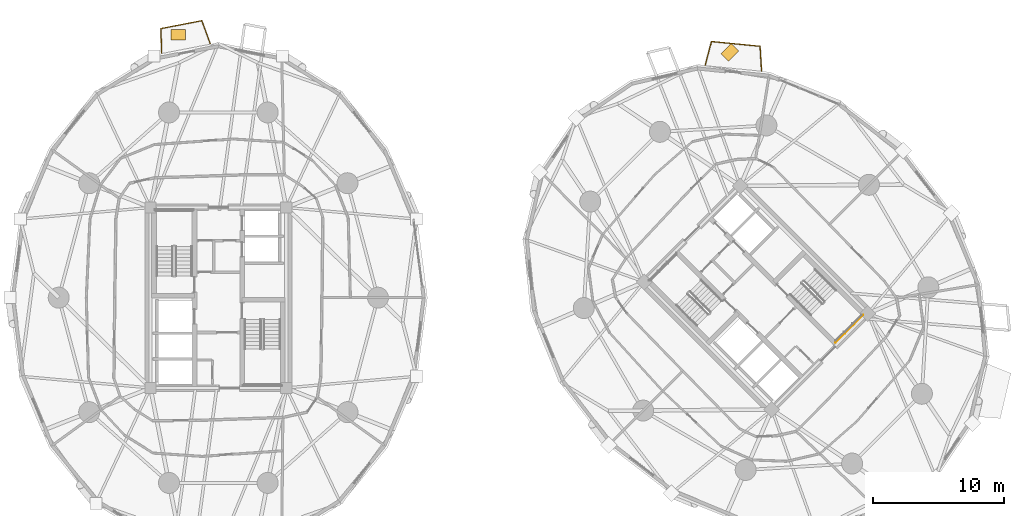
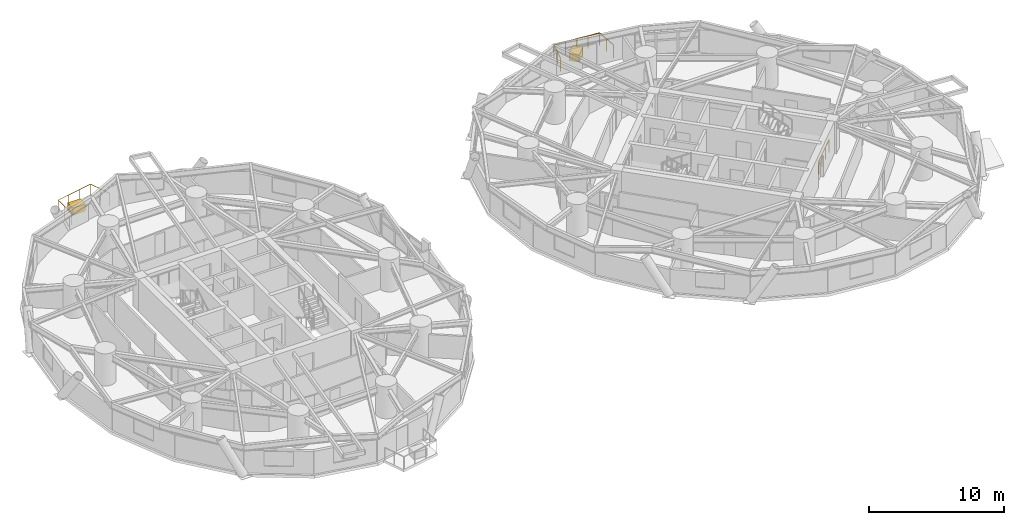
# One storey, part 18 of 18: 3 railings, 2 coverings.
"""IFC4 building model written with IfcOpenShell, lengths in metres."""

from ifc_helpers import new_model, si_unit, direction, frame, origin, origin_2d, place, context, subcontext, project, spatial, rectangle, circle, extrude, source, transform, mapped, material, layer, layer_set, type_object, element, save


model = new_model("IFC4")

# Units and contexts
model_context = context("Model", 3, precision=1e-05, world=origin(), true_north=direction((0.0, 1.0)))
body_context = subcontext(model_context, "Body", "Model", "MODEL_VIEW")
ifc_project = project(units=[si_unit("LENGTHUNIT", "METRE"), si_unit("AREAUNIT", "SQUARE_METRE"), si_unit("VOLUMEUNIT", "CUBIC_METRE"), si_unit("PLANEANGLEUNIT", "RADIAN"), si_unit("MASSUNIT", "GRAM", prefix="KILO")], contexts=[model_context])

# Site, building, storey
site_placement = place(None, origin())
site = spatial("IfcSite", under=ifc_project, at=site_placement, CompositionType="ELEMENT")
building_placement = place(site_placement, origin())
building = spatial("IfcBuilding", under=site, at=building_placement, Name="Cununo Teusaquillo Station Towers", CompositionType="ELEMENT")
storey_placement = place(building_placement, frame((0.0, 0.0, 56.919921875)))
storey = spatial("IfcBuildingStorey", under=building, at=storey_placement, Name="L17", CompositionType="ELEMENT", Elevation=56.919921875)

# Railings
ifc_material_1 = material(Name="Anodised dark bronze aluminium EN AW-6063-T6", Category="aluminium")
railing_type_1 = type_object("IfcRailingType", Name="RL-EXT-GUARD", PredefinedType="GUARDRAIL", material=ifc_material_1)
railing_1_placement = place(storey_placement, frame((12.17626953125, 43.155517578125, 0.0)))
element("IfcRailing", 1, at=railing_1_placement, inside=storey, type_object=railing_type_1, Name="L17 Tower A Balcony Guardrail C05", PredefinedType="GUARDRAIL", context=body_context, shape_type="SweptSolid", body=[
    extrude(circle(Radius=0.02392578125, at=origin_2d()), frame((0.0, 0.0, 1.1259765625), z_axis=(-0.030654001707, 0.999530055666, 0.0), x_axis=(-0.999530055666, -0.030654001707, 0.0)), (0.0, 0.0, 1.0), 1.86376953125),
    extrude(circle(Radius=0.02392578125, at=origin_2d()), frame((-0.05712890625, 1.86279296875, 1.1259765625), z_axis=(0.981832956512, 0.189747320158, 0.0), x_axis=(-0.189747320158, 0.981832956512, 0.0)), (0.0, 0.0, 1.0), 3.179443359375),
    extrude(circle(Radius=0.02392578125, at=origin_2d()), frame((3.064453125, 2.466064453125, 1.1259765625), z_axis=(0.343992902358, -0.938972248326, 0.0), x_axis=(0.938972248326, 0.343992902358, 0.0)), (0.0, 0.0, 1.0), 1.86376953125),
    extrude(circle(Radius=0.02099609375, at=origin_2d()), origin(), (0.0, 0.0, 1.0), 1.101806640625),
    extrude(circle(Radius=0.02099609375, at=origin_2d()), frame((-0.028564453125, 0.931396484375, 0.0)), (0.0, 0.0, 1.0), 1.101806640625),
    extrude(circle(Radius=0.02099609375, at=origin_2d()), frame((-0.05712890625, 1.86279296875, 0.0)), (0.0, 0.0, 1.0), 1.101806640625),
    extrude(circle(Radius=0.02099609375, at=origin_2d()), frame((0.9833984375, 2.06396484375, 0.0)), (0.0, 0.0, 1.0), 1.101806640625),
    extrude(circle(Radius=0.02099609375, at=origin_2d()), frame((2.02392578125, 2.264892578125, 0.0)), (0.0, 0.0, 1.0), 1.101806640625),
    extrude(circle(Radius=0.02099609375, at=origin_2d()), frame((3.064453125, 2.466064453125, 0.0)), (0.0, 0.0, 1.0), 1.101806640625),
    extrude(circle(Radius=0.02099609375, at=origin_2d()), frame((3.385009765625, 1.591064453125, 0.0)), (0.0, 0.0, 1.0), 1.101806640625),
    extrude(circle(Radius=0.02099609375, at=origin_2d()), frame((3.70556640625, 0.716064453125, 0.0)), (0.0, 0.0, 1.0), 1.101806640625),
])
railing_2_placement = place(storey_placement, frame((53.623779296875, 42.227783203125, 0.0)))
element("IfcRailing", 2, at=railing_2_placement, inside=storey, type_object=railing_type_1, Name="L17 Tower B Balcony Guardrail C02", PredefinedType="GUARDRAIL", context=body_context, shape_type="SweptSolid", body=[
    extrude(circle(Radius=0.02392578125, at=origin_2d()), frame((0.0, 0.0, 1.1259765625), z_axis=(0.255892560316, 0.966705227862, 0.0), x_axis=(-0.966705227862, 0.255892560316, 0.0)), (0.0, 0.0, 1.0), 1.871826171875),
    extrude(circle(Radius=0.02392578125, at=origin_2d()), frame((0.47900390625, 1.8095703125, 1.1259765625), z_axis=(0.995124513298, -0.098626583811, 0.0), x_axis=(0.098626583811, 0.995124513298, 0.0)), (0.0, 0.0, 1.0), 3.720458984375),
    extrude(circle(Radius=0.02392578125, at=origin_2d()), frame((4.181396484375, 1.442626953125, 1.1259765625), z_axis=(0.061168401776, -0.998127460109, 0.0), x_axis=(0.998127460109, 0.061168401776, 0.0)), (0.0, 0.0, 1.0), 1.871826171875),
    extrude(circle(Radius=0.02099609375, at=origin_2d()), origin(), (0.0, 0.0, 1.0), 1.101806640625),
    extrude(circle(Radius=0.02099609375, at=origin_2d()), frame((0.239501953125, 0.90478515625, 0.0)), (0.0, 0.0, 1.0), 1.101806640625),
    extrude(circle(Radius=0.02099609375, at=origin_2d()), frame((0.47900390625, 1.8095703125, 0.0)), (0.0, 0.0, 1.0), 1.101806640625),
    extrude(circle(Radius=0.02099609375, at=origin_2d()), frame((1.404541015625, 1.7177734375, 0.0)), (0.0, 0.0, 1.0), 1.101806640625),
    extrude(circle(Radius=0.02099609375, at=origin_2d()), frame((2.330078125, 1.6259765625, 0.0)), (0.0, 0.0, 1.0), 1.101806640625),
    extrude(circle(Radius=0.02099609375, at=origin_2d()), frame((3.255859375, 1.534423828125, 0.0)), (0.0, 0.0, 1.0), 1.101806640625),
    extrude(circle(Radius=0.02099609375, at=origin_2d()), frame((4.181396484375, 1.442626953125, 0.0)), (0.0, 0.0, 1.0), 1.101806640625),
    extrude(circle(Radius=0.02099609375, at=origin_2d()), frame((4.23876953125, 0.50830078125, 0.0)), (0.0, 0.0, 1.0), 1.101806640625),
    extrude(circle(Radius=0.02099609375, at=origin_2d()), frame((4.2958984375, -0.42578125, 0.0)), (0.0, 0.0, 1.0), 1.101806640625),
])
ifc_material_2 = material(Name="Steel EN 10025-2 S355J2", Category="steel")
railing_type_2 = type_object("IfcRailingType", Name="RL-INT-GUARD", PredefinedType="GUARDRAIL", material=ifc_material_2)
railing_3_placement = place(storey_placement, frame((63.573974609375, 21.084716796875, 0.0)))
element("IfcRailing", 3, at=railing_3_placement, inside=storey, type_object=railing_type_2, Name="L17 ST-T2-2 stair guard 6", PredefinedType="GUARDRAIL", context=body_context, shape_type="SweptSolid", body=[
    extrude(circle(Radius=0.02392578125, at=origin_2d()), frame((0.0, 0.0, 1.1259765625), z_axis=(0.707106781187, 0.707106781187, 0.0), x_axis=(-0.707106781187, 0.707106781187, 0.0)), (0.0, 0.0, 1.0), 2.9599609375),
    extrude(circle(Radius=0.02099609375, at=origin_2d()), origin(), (0.0, 0.0, 1.0), 1.101806640625),
    extrude(circle(Radius=0.02099609375, at=origin_2d()), frame((0.69775390625, 0.69775390625, 0.0)), (0.0, 0.0, 1.0), 1.101806640625),
    extrude(circle(Radius=0.02099609375, at=origin_2d()), frame((1.395263671875, 1.395263671875, 0.0)), (0.0, 0.0, 1.0), 1.101806640625),
    extrude(circle(Radius=0.02099609375, at=origin_2d()), frame((2.093017578125, 2.093017578125, 0.0)), (0.0, 0.0, 1.0), 1.101806640625),
])

# Coverings
ifc_material_3 = material(Name="Architectural GRC planter shell and engineered root-zone substrate", Category="concrete")
ifc_layer = layer(ifc_material_3, 0.64990234375)
ifc_layer_set = layer_set([ifc_layer], Name="Architectural GRC planter shell and engineered root-zone substrate")
covering_type = type_object("IfcCoveringType", Name="COV-TREE-PLANTER", PredefinedType="CLADDING", material=ifc_layer_set)
shared_shape = source(origin(), body_context, "Body", "SweptSolid", [
    extrude(rectangle(XDim=1.10009765625, YDim=0.800048828125, at=origin_2d()), origin(), (0.0, 0.0, 1.0), 0.64990234375),
])
for number, where, z_axis, x_axis, name in (
    (4, (13.43359375, 44.56591796875, 0.000244140625), (0.0, 0.0, 1.0), (1.0, 0.0, 0.0), "L17 Tower A Balcony Tree PLANTER C05"),
    (5, (55.501953125, 43.197509765625, 0.000244140625), (0.0, 0.0, 1.0), (0.707106781187, 0.707106781187, 0.0), "L17 Tower B Balcony Tree PLANTER C02"),
):
    element("IfcCovering", number, at=place(storey_placement, frame(where, z_axis=z_axis, x_axis=x_axis)), inside=storey, type_object=covering_type, Name=name, PredefinedType="CLADDING", context=body_context, shape_type="MappedRepresentation", body=[
        mapped(shared_shape, transform((0.0, 0.0, 0.0), x_axis=(1.0, 0.0, 0.0), y_axis=(0.0, 1.0, 0.0), z_axis=(0.0, 0.0, 1.0), scale=1.0)),
    ])

save(model, "model.ifc")
